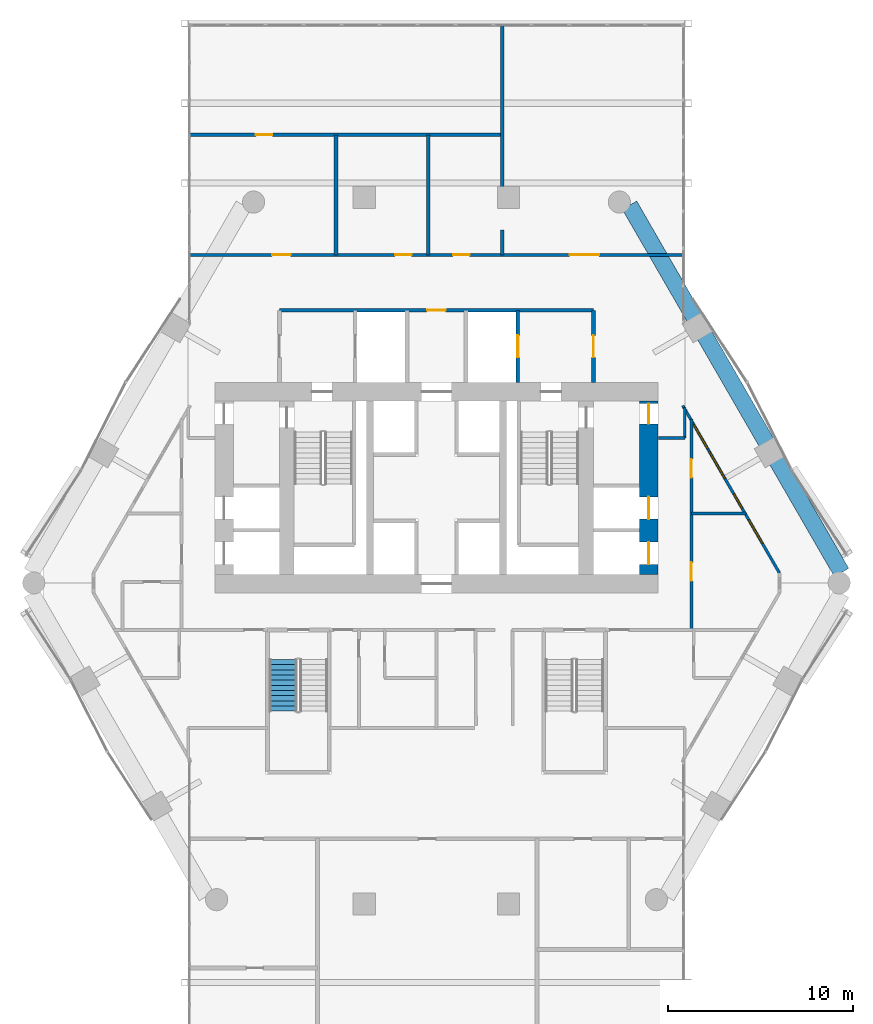
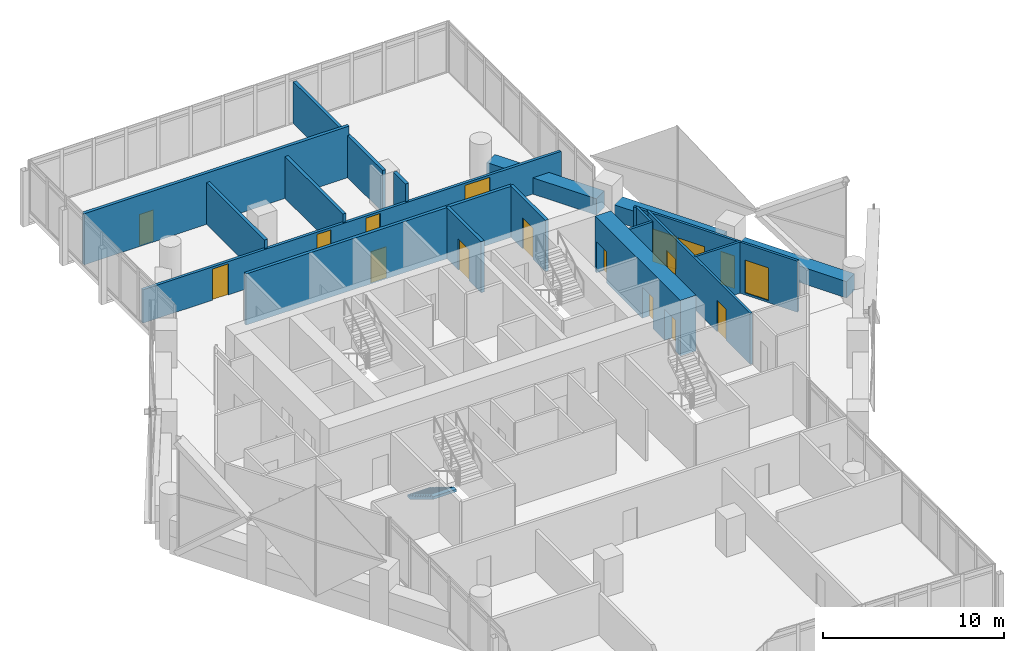
# One storey, part 30 of 36: 18 walls, 13 doors, 4 windows, 1 stair flight, 17 openings, 1 element without a shape of its own.
"""IFC4 building model written with IfcOpenShell, lengths in metres."""

from ifc_helpers import new_model, si_unit, direction, frame, frame_2d, origin, place, context, subcontext, project, spatial, polyline, rectangle, outline, extrude, material, layer, layer_set, type_object, element, fill, aggregate, save


model = new_model("IFC4")

# Units and contexts
model_context = context("Model", 3, precision=1e-05, world=origin(), true_north=direction((0.0, 1.0)))
body_context = subcontext(model_context, "Body", "Model", "MODEL_VIEW")
ifc_project = project(units=[si_unit("LENGTHUNIT", "METRE"), si_unit("AREAUNIT", "SQUARE_METRE"), si_unit("VOLUMEUNIT", "CUBIC_METRE"), si_unit("PLANEANGLEUNIT", "RADIAN"), si_unit("MASSUNIT", "GRAM", prefix="KILO")], contexts=[model_context])

# Site, building, storey
site_placement = place(None, origin())
site = spatial("IfcSite", under=ifc_project, at=site_placement, CompositionType="ELEMENT")
building_placement = place(site_placement, origin())
building = spatial("IfcBuilding", under=site, at=building_placement, Name="Ostrander Bayou Hotel Tower", CompositionType="ELEMENT")
storey_placement = place(building_placement, frame((0.0, 0.0, 138.5)))
storey = spatial("IfcBuildingStorey", under=building, at=storey_placement, Name="L34", CompositionType="ELEMENT", Elevation=138.5)

# Wall, openings, doors
ifc_material_1 = material(Name="Concrete f'c 70 MPa", Category="concrete")
ifc_layer_1 = layer(ifc_material_1, 1.0)
ifc_layer_set_1 = layer_set([ifc_layer_1], Name="CW4 core wall 1000 mm f'c 70 MPa")
wall_type_1 = type_object("IfcWallType", Name="CW4 core wall 1000 mm f'c 70 MPa", PredefinedType="SHEAR", material=ifc_layer_set_1)
wall_1_placement = place(storey_placement, frame((11.5, -0.699951171875, -0.300048828125), z_axis=(0.0, 0.0, 1.0), x_axis=(0.0, 1.0, 0.0)))
wall_1 = element("IfcWall", 1, at=wall_1_placement, inside=storey, type_object=wall_type_1, Name="CW4 L34 RE", PredefinedType="SHEAR", context=body_context, shape_type="SweptSolid", body=[
    extrude(rectangle(XDim=9.39990234375, YDim=1.0, at=frame_2d((4.699951171875, 0.0))), origin(), (0.0, 0.0, 1.0), 3.75),
])
opening_1_placement = place(wall_1_placement, frame((8.14990234375, 0.0, 0.0)))
opening_1 = element("IfcOpeningElement", 2, at=opening_1_placement, cuts=wall_1, Name="Opening T34-017", PredefinedType="OPENING", context=body_context, shape_type="SweptSolid", body=[
    extrude(rectangle(XDim=1.10009765625, YDim=2.10009765625, at=frame_2d((0.550048828125, 1.050048828125))), frame((0.0, 0.5, 0.0), z_axis=(0.0, -1.0, 0.0), x_axis=(1.0, 0.0, 0.0)), (0.0, 0.0, 1.0), 1.0),
])
opening_2_placement = place(wall_1_placement, frame((0.550048828125, 0.0, 0.0)))
opening_2 = element("IfcOpeningElement", 3, at=opening_2_placement, cuts=wall_1, Name="Opening T34-018", PredefinedType="OPENING", context=body_context, shape_type="SweptSolid", body=[
    extrude(rectangle(XDim=1.199951171875, YDim=2.10009765625, at=frame_2d((0.60009765625, 1.050048828125))), frame((0.0, 0.5, 0.0), z_axis=(0.0, -1.0, 0.0), x_axis=(1.0, 0.0, 0.0)), (0.0, 0.0, 1.0), 1.0),
])
opening_3_placement = place(wall_1_placement, frame((3.0, 0.0, 0.0)))
opening_3 = element("IfcOpeningElement", 4, at=opening_3_placement, cuts=wall_1, Name="Opening T34-019", PredefinedType="OPENING", context=body_context, shape_type="SweptSolid", body=[
    extrude(rectangle(XDim=1.199951171875, YDim=2.10009765625, at=frame_2d((0.60009765625, 1.050048828125))), frame((0.0, 0.5, 0.0), z_axis=(0.0, -1.0, 0.0), x_axis=(1.0, 0.0, 0.0)), (0.0, 0.0, 1.0), 1.0),
])
ifc_material_2 = material(Name="Timber door leaf", Category="wood")
door_type_1 = type_object("IfcDoorType", Name="D5 stair door 1100 x 2100 mm, 90 minute", OperationType="SINGLE_SWING_LEFT", PredefinedType="DOOR", material=ifc_material_2)
door_1_placement = place(opening_1_placement, origin())
door_1 = element("IfcDoor", 5, at=door_1_placement, inside=storey, type_object=door_type_1, Name="dr:L34:017", OperationType="SINGLE_SWING_RIGHT", OverallHeight=2.10009765625, OverallWidth=1.10009765625, PredefinedType="DOOR", context=body_context, shape_type="SweptSolid", body=[
    extrude(rectangle(XDim=1.10009765625, YDim=2.10009765625, at=frame_2d((0.550048828125, 1.050048828125))), frame((0.0, 0.02490234375, 0.0), z_axis=(0.0, -1.0, 0.0), x_axis=(1.0, 0.0, 0.0)), (0.0, 0.0, 1.0), 0.050048828125),
])
fill(opening_1, door_1)
ifc_material_3 = material(Name="Stainless steel sliding door", Category="steel")
door_type_2 = type_object("IfcDoorType", Name="LD1 lift landing door 1200 x 2100 mm", OperationType="SINGLE_SWING_LEFT", PredefinedType="DOOR", material=ifc_material_3)
door_2_placement = place(opening_2_placement, origin())
door_2 = element("IfcDoor", 6, at=door_2_placement, inside=storey, type_object=door_type_2, Name="dr:L34:018", OperationType="SLIDING_TO_LEFT", OverallHeight=2.10009765625, OverallWidth=1.199951171875, PredefinedType="DOOR", context=body_context, shape_type="SweptSolid", body=[
    extrude(rectangle(XDim=1.199951171875, YDim=2.10009765625, at=frame_2d((0.60009765625, 1.050048828125))), frame((0.0, 0.02490234375, 0.0), z_axis=(0.0, -1.0, 0.0), x_axis=(1.0, 0.0, 0.0)), (0.0, 0.0, 1.0), 0.050048828125),
])
fill(opening_2, door_2)
door_3_placement = place(opening_3_placement, origin())
door_3 = element("IfcDoor", 7, at=door_3_placement, inside=storey, type_object=door_type_2, Name="dr:L34:019", OperationType="SLIDING_TO_LEFT", OverallHeight=2.10009765625, OverallWidth=1.199951171875, PredefinedType="DOOR", context=body_context, shape_type="SweptSolid", body=[
    extrude(rectangle(XDim=1.199951171875, YDim=2.10009765625, at=frame_2d((0.60009765625, 1.050048828125))), frame((0.0, 0.02490234375, 0.0), z_axis=(0.0, -1.0, 0.0), x_axis=(1.0, 0.0, 0.0)), (0.0, 0.0, 1.0), 0.050048828125),
])
fill(opening_3, door_3)

# Wall, openings, windows
ifc_material_4 = material(Name="Aluminium framed insulated wall", Category="aluminium")
ifc_layer_2 = layer(ifc_material_4, 0.14990234375)
ifc_layer_set_2 = layer_set([ifc_layer_2], Name="GW1 glass-line wall 150 mm")
wall_type_2 = type_object("IfcWallType", Name="GW1 glass-line wall 150 mm", PredefinedType="SOLIDWALL", material=ifc_layer_set_2)
wall_2_placement = place(storey_placement, frame((18.568115234375, -0.6240234375, 0.0), z_axis=(0.0, 0.0, 1.0), x_axis=(-0.499994317138, 0.866028684761, 0.0)))
wall_2 = element("IfcWall", 8, at=wall_2_placement, inside=storey, type_object=wall_type_2, Name="GW1 L34 NE 1", PredefinedType="SOLIDWALL", context=body_context, shape_type="SweptSolid", body=[
    extrude(rectangle(XDim=10.46826171875, YDim=0.14990234375, at=frame_2d((5.234130859375, 0.0))), origin(), (0.0, 0.0, 1.0), 3.449951171875),
])
opening_4_placement = place(wall_2_placement, frame((4.046630859375, 0.0, 0.14990234375)))
opening_4 = element("IfcOpeningElement", 9, at=opening_4_placement, cuts=wall_2, Name="Opening W16", PredefinedType="OPENING", context=body_context, shape_type="SweptSolid", body=[
    extrude(rectangle(XDim=0.89990234375, YDim=2.199951171875, at=frame_2d((0.449951171875, 1.10009765625))), frame((0.0, 0.074951171875, 0.0), z_axis=(0.0, -1.0, 0.0), x_axis=(1.0, 0.0, 0.0)), (0.0, 0.0, 1.0), 0.14990234375),
])
opening_5_placement = place(wall_2_placement, frame((1.8466796875, 0.0, 0.14990234375)))
opening_5 = element("IfcOpeningElement", 10, at=opening_5_placement, cuts=wall_2, Name="Opening W12", PredefinedType="OPENING", context=body_context, shape_type="SweptSolid", body=[
    extrude(rectangle(XDim=1.5, YDim=2.199951171875, at=frame_2d((0.75, 1.10009765625))), frame((0.0, 0.074951171875, 0.0), z_axis=(0.0, -1.0, 0.0), x_axis=(1.0, 0.0, 0.0)), (0.0, 0.0, 1.0), 0.14990234375),
])
opening_6_placement = place(wall_2_placement, frame((5.924560546875, 0.0, 0.14990234375)))
opening_6 = element("IfcOpeningElement", 11, at=opening_6_placement, cuts=wall_2, Name="Opening W8", PredefinedType="OPENING", context=body_context, shape_type="SweptSolid", body=[
    extrude(rectangle(XDim=1.699951171875, YDim=2.199951171875, at=frame_2d((0.85009765625, 1.10009765625))), frame((0.0, 0.074951171875, 0.0), z_axis=(0.0, -1.0, 0.0), x_axis=(1.0, 0.0, 0.0)), (0.0, 0.0, 1.0), 0.14990234375),
])
opening_7_placement = place(wall_2_placement, frame((7.764404296875, 0.0, 0.14990234375)))
opening_7 = element("IfcOpeningElement", 12, at=opening_7_placement, cuts=wall_2, Name="Opening W12", PredefinedType="OPENING", context=body_context, shape_type="SweptSolid", body=[
    extrude(rectangle(XDim=1.5, YDim=2.199951171875, at=frame_2d((0.75, 1.10009765625))), frame((0.0, 0.074951171875, 0.0), z_axis=(0.0, -1.0, 0.0), x_axis=(1.0, 0.0, 0.0)), (0.0, 0.0, 1.0), 0.14990234375),
])
ifc_material_5 = material(Name="Aluminium and clear glass", Category="aluminium")
window_type_1 = type_object("IfcWindowType", Name="W12 fixed window 1500 mm, bath bay, zone 2", PartitioningType="SINGLE_PANEL", PredefinedType="WINDOW", material=ifc_material_5)
window_1_placement = place(opening_5_placement, origin())
window_1 = element("IfcWindow", 13, at=window_1_placement, inside=storey, type_object=window_type_1, Name="W12 L34 NE 1", OverallHeight=2.199951171875, OverallWidth=1.5, PartitioningType="SINGLE_PANEL", PredefinedType="WINDOW", context=body_context, shape_type="SweptSolid", body=[
    extrude(rectangle(XDim=1.5, YDim=2.199951171875, at=frame_2d((0.75, 1.10009765625))), frame((0.0, 0.030029296875, 0.0), z_axis=(0.0, -1.0, 0.0), x_axis=(1.0, 0.0, 0.0)), (0.0, 0.0, 1.0), 0.06005859375),
])
fill(opening_5, window_1)
window_2_placement = place(opening_7_placement, origin())
window_2 = element("IfcWindow", 14, at=window_2_placement, inside=storey, type_object=window_type_1, Name="W12 L34 NE 2", OverallHeight=2.199951171875, OverallWidth=1.5, PartitioningType="SINGLE_PANEL", PredefinedType="WINDOW", context=body_context, shape_type="SweptSolid", body=[
    extrude(rectangle(XDim=1.5, YDim=2.199951171875, at=frame_2d((0.75, 1.10009765625))), frame((0.0, 0.030029296875, 0.0), z_axis=(0.0, -1.0, 0.0), x_axis=(1.0, 0.0, 0.0)), (0.0, 0.0, 1.0), 0.06005859375),
])
fill(opening_7, window_2)
ifc_material_6 = material(Name="Aluminium and clear glass", Category="aluminium")
window_type_2 = type_object("IfcWindowType", Name="W16 window 900 mm, zone 2", PartitioningType="SINGLE_PANEL", PredefinedType="WINDOW", material=ifc_material_6)
window_3_placement = place(opening_4_placement, origin())
window_3 = element("IfcWindow", 15, at=window_3_placement, inside=storey, type_object=window_type_2, Name="W16 L34 NE 1", OverallHeight=2.199951171875, OverallWidth=0.89990234375, PartitioningType="SINGLE_PANEL", PredefinedType="WINDOW", context=body_context, shape_type="SweptSolid", body=[
    extrude(rectangle(XDim=0.89990234375, YDim=2.199951171875, at=frame_2d((0.449951171875, 1.10009765625))), frame((0.0, 0.030029296875, 0.0), z_axis=(0.0, -1.0, 0.0), x_axis=(1.0, 0.0, 0.0)), (0.0, 0.0, 1.0), 0.06005859375),
])
fill(opening_4, window_3)
ifc_material_7 = material(Name="Aluminium and clear glass", Category="aluminium")
window_type_3 = type_object("IfcWindowType", Name="W8 fixed window 1700 mm, bar storeys, zone 2", PartitioningType="SINGLE_PANEL", PredefinedType="WINDOW", material=ifc_material_7)
window_4_placement = place(opening_6_placement, origin())
window_4 = element("IfcWindow", 16, at=window_4_placement, inside=storey, type_object=window_type_3, Name="W8 L34 NE 2", OverallHeight=2.199951171875, OverallWidth=1.699951171875, PartitioningType="SINGLE_PANEL", PredefinedType="WINDOW", context=body_context, shape_type="SweptSolid", body=[
    extrude(rectangle(XDim=1.699951171875, YDim=2.199951171875, at=frame_2d((0.85009765625, 1.10009765625))), frame((0.0, 0.030029296875, 0.0), z_axis=(0.0, -1.0, 0.0), x_axis=(1.0, 0.0, 0.0)), (0.0, 0.0, 1.0), 0.06005859375),
])
fill(opening_6, window_4)

# Walls
ifc_material_8 = material(Name="Concrete f'c 40 MPa", Category="concrete")
ifc_layer_3 = layer(ifc_material_8, 0.89990234375)
ifc_layer_set_3 = layer_set([ifc_layer_3], Name="PA1 stone-faced parapet 900 mm")
wall_type_3 = type_object("IfcWallType", Name="PA1 stone-faced parapet 900 mm", PredefinedType="PARAPET", material=ifc_layer_set_3)
wall_3_placement = place(storey_placement, frame((21.927734375, -0.593017578125, 0.0), z_axis=(0.0, 0.0, 1.0), x_axis=(-0.499991127072, 0.866030526511, 0.0)))
element("IfcWall", 17, at=wall_3_placement, inside=storey, type_object=wall_type_3, Name="PA1 L34 NE-1", PredefinedType="PARAPET", context=body_context, shape_type="SweptSolid", body=[
    extrude(rectangle(XDim=7.000732421875, YDim=0.89990234375, at=frame_2d((3.50048828125, 0.0))), origin(), (0.0, 0.0, 1.0), 1.10009765625),
])
wall_4_placement = place(storey_placement, frame((17.857421875, 6.45703125, 0.0), z_axis=(0.0, 0.0, 1.0), x_axis=(-0.499983182885, 0.866035112932, 0.0)))
element("IfcWall", 18, at=wall_4_placement, inside=storey, type_object=wall_type_3, Name="PA1 L34 NE-2", PredefinedType="PARAPET", context=body_context, shape_type="SweptSolid", body=[
    extrude(rectangle(XDim=6.673583984375, YDim=0.89990234375, at=frame_2d((3.3369140625, 0.0))), origin(), (0.0, 0.0, 1.0), 1.10009765625),
])
wall_5_placement = place(storey_placement, frame((13.95068359375, 13.2236328125, 0.0), z_axis=(0.0, 0.0, 1.0), x_axis=(-0.499991127072, 0.866030526511, 0.0)))
element("IfcWall", 19, at=wall_5_placement, inside=storey, type_object=wall_type_3, Name="PA1 L34 NE-3", PredefinedType="PARAPET", context=body_context, shape_type="SweptSolid", body=[
    extrude(rectangle(XDim=7.000732421875, YDim=0.89990234375, at=frame_2d((3.50048828125, 0.0))), origin(), (0.0, 0.0, 1.0), 1.10009765625),
])

# Wall, opening, door
ifc_material_9 = material(Name="Gypsum board partition", Category="finish")
ifc_layer_4 = layer(ifc_material_9, 0.199951171875)
ifc_layer_set_4 = layer_set([ifc_layer_4], Name="PT3 demising wall 200 mm acoustic double stud, 1 hour")
wall_type_4 = type_object("IfcWallType", Name="PT3 demising wall 200 mm acoustic double stud, 1 hour", PredefinedType="PARTITIONING", material=ifc_layer_set_4)
wall_6_placement = place(storey_placement, frame((-13.34814453125, 23.10009765625, 0.0), z_axis=(0.0, 0.0, 1.0), x_axis=(1.0, 0.0, 0.0)))
wall_6 = element("IfcWall", 20, at=wall_6_placement, inside=storey, type_object=wall_type_4, Name="sw:L34:504", PredefinedType="PARTITIONING", context=body_context, shape_type="SweptSolid", body=[
    extrude(rectangle(XDim=16.906005859375, YDim=0.199951171875, at=frame_2d((8.453125, 0.0))), origin(), (0.0, 0.0, 1.0), 3.449951171875),
])
opening_8_placement = place(wall_6_placement, frame((3.571044921875, 0.0, 0.0)))
opening_8 = element("IfcOpeningElement", 21, at=opening_8_placement, cuts=wall_6, Name="Opening T34-1210", PredefinedType="OPENING", context=body_context, shape_type="SweptSolid", body=[
    extrude(rectangle(XDim=0.89990234375, YDim=2.10009765625, at=frame_2d((0.449951171875, 1.050048828125))), frame((0.0, 0.10009765625, 0.0), z_axis=(0.0, -1.0, 0.0), x_axis=(1.0, 0.0, 0.0)), (0.0, 0.0, 1.0), 0.199951171875),
])
ifc_material_10 = material(Name="Timber door leaf", Category="wood")
door_type_3 = type_object("IfcDoorType", Name="D8 room door 900 x 2100 mm", OperationType="SINGLE_SWING_LEFT", PredefinedType="DOOR", material=ifc_material_10)
door_4_placement = place(opening_8_placement, origin())
door_4 = element("IfcDoor", 22, at=door_4_placement, inside=storey, type_object=door_type_3, Name="dr:L34:1210", OperationType="SINGLE_SWING_RIGHT", OverallHeight=2.10009765625, OverallWidth=0.89990234375, PredefinedType="DOOR", context=body_context, shape_type="SweptSolid", body=[
    extrude(rectangle(XDim=0.89990234375, YDim=2.10009765625, at=frame_2d((0.449951171875, 1.050048828125))), frame((0.0, 0.02490234375, 0.0), z_axis=(0.0, -1.0, 0.0), x_axis=(1.0, 0.0, 0.0)), (0.0, 0.0, 1.0), 0.050048828125),
])
fill(opening_8, door_4)

# Walls
for number, where, z_axis, x_axis, name in (
    (23, (-5.44189453125, 16.60009765625, 0.0), (0.0, 0.0, 1.0), (0.0, 1.0, 0.0), "sw:L34:506"),
    (24, (-0.44189453125, 16.60009765625, 0.0), (0.0, 0.0, 1.0), (0.0, 1.0, 0.0), "sw:L34:507"),
):
    element("IfcWall", number, at=place(storey_placement, frame(where, z_axis=z_axis, x_axis=x_axis)), inside=storey, type_object=wall_type_4, Name=name, PredefinedType="PARTITIONING", context=body_context, shape_type="SweptSolid", body=[
        extrude(rectangle(XDim=6.5, YDim=0.199951171875, at=frame_2d((3.25, 0.0))), origin(), (0.0, 0.0, 1.0), 2.828125),
    ])
wall_7_placement = place(storey_placement, frame((3.55810546875, 16.60009765625, 0.0), z_axis=(0.0, 0.0, 1.0), x_axis=(0.0, 1.0, 0.0)))
element("IfcWall", 25, at=wall_7_placement, inside=storey, type_object=wall_type_4, Name="sw:L34:508", PredefinedType="PARTITIONING", context=body_context, shape_type="SweptSolid", body=[
    extrude(rectangle(XDim=1.347900390625, YDim=0.199951171875, at=frame_2d((0.673828125, 0.0))), origin(), (0.0, 0.0, 1.0), 3.449951171875),
])
wall_8_placement = place(storey_placement, frame((3.55810546875, 19.13916015625, 0.0), z_axis=(0.0, 0.0, 1.0), x_axis=(0.0, 1.0, 0.0)))
element("IfcWall", 26, at=wall_8_placement, inside=storey, type_object=wall_type_4, Name="sw:L34:509", PredefinedType="PARTITIONING", context=body_context, shape_type="SweptSolid", body=[
    extrude(rectangle(XDim=9.87890625, YDim=0.199951171875, at=frame_2d((4.939453125, 0.0))), origin(), (0.0, 0.0, 1.0), 2.828125),
])

# Wall, openings, doors
ifc_material_11 = material(Name="Gypsum board partition", Category="finish")
ifc_layer_5 = layer(ifc_material_11, 0.175048828125)
ifc_layer_set_5 = layer_set([ifc_layer_5], Name="PT4 corridor wall 175 mm, 1 hour")
wall_type_5 = type_object("IfcWallType", Name="PT4 corridor wall 175 mm, 1 hour", PredefinedType="PARTITIONING", material=ifc_layer_set_5)
wall_9_placement = place(storey_placement, frame((-13.34814453125, 16.60009765625, 0.0), z_axis=(0.0, 0.0, 1.0), x_axis=(1.0, 0.0, 0.0)))
wall_9 = element("IfcWall", 27, at=wall_9_placement, inside=storey, type_object=wall_type_5, Name="sw:L34:501", PredefinedType="PARTITIONING", context=body_context, shape_type="SweptSolid", body=[
    extrude(rectangle(XDim=26.6962890625, YDim=0.175048828125, at=frame_2d((13.34814453125, 0.0))), origin(), (0.0, 0.0, 1.0), 2.25),
])
opening_9_placement = place(wall_9_placement, frame((4.45556640625, 0.0, 0.0)))
opening_9 = element("IfcOpeningElement", 28, at=opening_9_placement, cuts=wall_9, Name="Opening T34-1206", PredefinedType="OPENING", context=body_context, shape_type="SweptSolid", body=[
    extrude(rectangle(XDim=1.0, YDim=2.10009765625, at=frame_2d((0.5, 1.050048828125))), frame((0.0, 0.08740234375, 0.0), z_axis=(0.0, -1.0, 0.0), x_axis=(1.0, 0.0, 0.0)), (0.0, 0.0, 1.0), 0.175048828125),
])
opening_10_placement = place(wall_9_placement, frame((11.106689453125, 0.0, 0.0)))
opening_10 = element("IfcOpeningElement", 29, at=opening_10_placement, cuts=wall_9, Name="Opening T34-1207", PredefinedType="OPENING", context=body_context, shape_type="SweptSolid", body=[
    extrude(rectangle(XDim=0.89990234375, YDim=2.10009765625, at=frame_2d((0.449951171875, 1.050048828125))), frame((0.0, 0.08740234375, 0.0), z_axis=(0.0, -1.0, 0.0), x_axis=(1.0, 0.0, 0.0)), (0.0, 0.0, 1.0), 0.175048828125),
])
opening_11_placement = place(wall_9_placement, frame((14.24755859375, 0.0, 0.0)))
opening_11 = element("IfcOpeningElement", 30, at=opening_11_placement, cuts=wall_9, Name="Opening T34-1208", PredefinedType="OPENING", context=body_context, shape_type="SweptSolid", body=[
    extrude(rectangle(XDim=0.89990234375, YDim=2.10009765625, at=frame_2d((0.449951171875, 1.050048828125))), frame((0.0, 0.08740234375, 0.0), z_axis=(0.0, -1.0, 0.0), x_axis=(1.0, 0.0, 0.0)), (0.0, 0.0, 1.0), 0.175048828125),
])
opening_12_placement = place(wall_9_placement, frame((20.55615234375, 0.0, 0.0)))
opening_12 = element("IfcOpeningElement", 31, at=opening_12_placement, cuts=wall_9, Name="Opening T34-1209", PredefinedType="OPENING", context=body_context, shape_type="SweptSolid", body=[
    extrude(rectangle(XDim=1.60009765625, YDim=2.10009765625, at=frame_2d((0.800048828125, 1.050048828125))), frame((0.0, 0.08740234375, 0.0), z_axis=(0.0, -1.0, 0.0), x_axis=(1.0, 0.0, 0.0)), (0.0, 0.0, 1.0), 0.175048828125),
])
ifc_material_12 = material(Name="Timber door leaf", Category="wood")
door_type_4 = type_object("IfcDoorType", Name="D13 double door 1600 x 2100 mm, 1 hour", OperationType="SINGLE_SWING_LEFT", PredefinedType="DOOR", material=ifc_material_12)
door_5_placement = place(opening_12_placement, origin())
door_5 = element("IfcDoor", 32, at=door_5_placement, inside=storey, type_object=door_type_4, Name="dr:L34:1209", OperationType="DOUBLE_DOOR_SINGLE_SWING", OverallHeight=2.10009765625, OverallWidth=1.60009765625, PredefinedType="DOOR", context=body_context, shape_type="SweptSolid", body=[
    extrude(rectangle(XDim=1.60009765625, YDim=2.10009765625, at=frame_2d((0.800048828125, 1.050048828125))), frame((0.0, 0.02490234375, 0.0), z_axis=(0.0, -1.0, 0.0), x_axis=(1.0, 0.0, 0.0)), (0.0, 0.0, 1.0), 0.050048828125),
])
fill(opening_12, door_5)
door_6_placement = place(opening_10_placement, origin())
door_6 = element("IfcDoor", 33, at=door_6_placement, inside=storey, type_object=door_type_3, Name="dr:L34:1207", OperationType="SINGLE_SWING_LEFT", OverallHeight=2.10009765625, OverallWidth=0.89990234375, PredefinedType="DOOR", context=body_context, shape_type="SweptSolid", body=[
    extrude(rectangle(XDim=0.89990234375, YDim=2.10009765625, at=frame_2d((0.449951171875, 1.050048828125))), frame((0.0, 0.02490234375, 0.0), z_axis=(0.0, -1.0, 0.0), x_axis=(1.0, 0.0, 0.0)), (0.0, 0.0, 1.0), 0.050048828125),
])
fill(opening_10, door_6)
door_7_placement = place(opening_11_placement, origin())
door_7 = element("IfcDoor", 34, at=door_7_placement, inside=storey, type_object=door_type_3, Name="dr:L34:1208", OperationType="SINGLE_SWING_RIGHT", OverallHeight=2.10009765625, OverallWidth=0.89990234375, PredefinedType="DOOR", context=body_context, shape_type="SweptSolid", body=[
    extrude(rectangle(XDim=0.89990234375, YDim=2.10009765625, at=frame_2d((0.449951171875, 1.050048828125))), frame((0.0, 0.02490234375, 0.0), z_axis=(0.0, -1.0, 0.0), x_axis=(1.0, 0.0, 0.0)), (0.0, 0.0, 1.0), 0.050048828125),
])
fill(opening_11, door_7)
ifc_material_13 = material(Name="Timber door leaf", Category="wood")
door_type_5 = type_object("IfcDoorType", Name="D9 service door 1000 x 2100 mm, 30 minute", OperationType="SINGLE_SWING_LEFT", PredefinedType="DOOR", material=ifc_material_13)
door_8_placement = place(opening_9_placement, origin())
door_8 = element("IfcDoor", 35, at=door_8_placement, inside=storey, type_object=door_type_5, Name="dr:L34:1206", OperationType="SINGLE_SWING_RIGHT", OverallHeight=2.10009765625, OverallWidth=1.0, PredefinedType="DOOR", context=body_context, shape_type="SweptSolid", body=[
    extrude(rectangle(XDim=1.0, YDim=2.10009765625, at=frame_2d((0.5, 1.050048828125))), frame((0.0, 0.02490234375, 0.0), z_axis=(0.0, -1.0, 0.0), x_axis=(1.0, 0.0, 0.0)), (0.0, 0.0, 1.0), 0.050048828125),
])
fill(opening_9, door_8)

# Wall, opening, door
ifc_material_14 = material(Name="Masonry block", Category="masonry")
ifc_layer_6 = layer(ifc_material_14, 0.199951171875)
ifc_layer_set_6 = layer_set([ifc_layer_6], Name="PT5 stair enclosure wall 200 mm masonry, 2 hour")
wall_type_6 = type_object("IfcWallType", Name="PT5 stair enclosure wall 200 mm masonry, 2 hour", PredefinedType="PARTITIONING", material=ifc_layer_set_6)
wall_10_placement = place(storey_placement, frame((-8.5, 13.60009765625, 0.0), z_axis=(0.0, 0.0, 1.0), x_axis=(1.0, 0.0, 0.0)))
wall_10 = element("IfcWall", 36, at=wall_10_placement, inside=storey, type_object=wall_type_6, Name="cs:L34:021", PredefinedType="PARTITIONING", context=body_context, shape_type="SweptSolid", body=[
    extrude(rectangle(XDim=17.0, YDim=0.199951171875, at=frame_2d((8.5, 0.0))), origin(), (0.0, 0.0, 1.0), 3.449951171875),
])
opening_13_placement = place(wall_10_placement, frame((8.0, 0.0, 0.0)))
opening_13 = element("IfcOpeningElement", 37, at=opening_13_placement, cuts=wall_10, Name="Opening T34-013", PredefinedType="OPENING", context=body_context, shape_type="SweptSolid", body=[
    extrude(rectangle(XDim=1.0, YDim=2.10009765625, at=frame_2d((0.5, 1.050048828125))), frame((0.0, 0.10009765625, 0.0), z_axis=(0.0, -1.0, 0.0), x_axis=(1.0, 0.0, 0.0)), (0.0, 0.0, 1.0), 0.199951171875),
])
door_9_placement = place(opening_13_placement, origin())
door_9 = element("IfcDoor", 38, at=door_9_placement, inside=storey, type_object=door_type_5, Name="dr:L34:013", OperationType="SINGLE_SWING_LEFT", OverallHeight=2.10009765625, OverallWidth=1.0, PredefinedType="DOOR", context=body_context, shape_type="SweptSolid", body=[
    extrude(rectangle(XDim=1.0, YDim=2.10009765625, at=frame_2d((0.5, 1.050048828125))), frame((0.0, 0.02490234375, 0.0), z_axis=(0.0, -1.0, 0.0), x_axis=(1.0, 0.0, 0.0)), (0.0, 0.0, 1.0), 0.050048828125),
])
fill(opening_13, door_9)

wall_11_placement = place(storey_placement, frame((8.5, 9.699951171875, 0.0), z_axis=(0.0, 0.0, 1.0), x_axis=(0.0, 1.0, 0.0)))
wall_11 = element("IfcWall", 39, at=wall_11_placement, inside=storey, type_object=wall_type_6, Name="cs:L34:023", PredefinedType="PARTITIONING", context=body_context, shape_type="SweptSolid", body=[
    extrude(rectangle(XDim=3.900146484375, YDim=0.199951171875, at=frame_2d((1.9501953125, 0.0))), origin(), (0.0, 0.0, 1.0), 3.449951171875),
])
opening_14_placement = place(wall_11_placement, frame((1.35009765625, 0.0, 0.0)))
opening_14 = element("IfcOpeningElement", 40, at=opening_14_placement, cuts=wall_11, Name="Opening T34-012", PredefinedType="OPENING", context=body_context, shape_type="SweptSolid", body=[
    extrude(rectangle(XDim=1.199951171875, YDim=2.10009765625, at=frame_2d((0.60009765625, 1.050048828125))), frame((0.0, 0.10009765625, 0.0), z_axis=(0.0, -1.0, 0.0), x_axis=(1.0, 0.0, 0.0)), (0.0, 0.0, 1.0), 0.199951171875),
])
ifc_material_15 = material(Name="Timber door leaf", Category="wood")
door_type_6 = type_object("IfcDoorType", Name="D7 lobby door 1200 x 2100 mm, 1 hour", OperationType="SINGLE_SWING_LEFT", PredefinedType="DOOR", material=ifc_material_15)
door_10_placement = place(opening_14_placement, origin())
door_10 = element("IfcDoor", 41, at=door_10_placement, inside=storey, type_object=door_type_6, Name="dr:L34:012", OperationType="SINGLE_SWING_LEFT", OverallHeight=2.10009765625, OverallWidth=1.199951171875, PredefinedType="DOOR", context=body_context, shape_type="SweptSolid", body=[
    extrude(rectangle(XDim=1.199951171875, YDim=2.10009765625, at=frame_2d((0.60009765625, 1.050048828125))), frame((0.0, 0.02490234375, 0.0), z_axis=(0.0, -1.0, 0.0), x_axis=(1.0, 0.0, 0.0)), (0.0, 0.0, 1.0), 0.050048828125),
])
fill(opening_14, door_10)

wall_12_placement = place(storey_placement, frame((4.39990234375, 9.699951171875, 0.0), z_axis=(0.0, 0.0, 1.0), x_axis=(0.0, 1.0, 0.0)))
wall_12 = element("IfcWall", 42, at=wall_12_placement, inside=storey, type_object=wall_type_6, Name="cs:L34:025", PredefinedType="PARTITIONING", context=body_context, shape_type="SweptSolid", body=[
    extrude(rectangle(XDim=3.900146484375, YDim=0.199951171875, at=frame_2d((1.9501953125, 0.0))), origin(), (0.0, 0.0, 1.0), 3.449951171875),
])
opening_15_placement = place(wall_12_placement, frame((1.35009765625, 0.0, 0.0)))
opening_15 = element("IfcOpeningElement", 43, at=opening_15_placement, cuts=wall_12, Name="Opening T34-011", PredefinedType="OPENING", context=body_context, shape_type="SweptSolid", body=[
    extrude(rectangle(XDim=1.199951171875, YDim=2.10009765625, at=frame_2d((0.60009765625, 1.050048828125))), frame((0.0, 0.10009765625, 0.0), z_axis=(0.0, -1.0, 0.0), x_axis=(1.0, 0.0, 0.0)), (0.0, 0.0, 1.0), 0.199951171875),
])
door_11_placement = place(opening_15_placement, origin())
door_11 = element("IfcDoor", 44, at=door_11_placement, inside=storey, type_object=door_type_2, Name="dr:L34:011", OperationType="SLIDING_TO_LEFT", OverallHeight=2.10009765625, OverallWidth=1.199951171875, PredefinedType="DOOR", context=body_context, shape_type="SweptSolid", body=[
    extrude(rectangle(XDim=1.199951171875, YDim=2.10009765625, at=frame_2d((0.60009765625, 1.050048828125))), frame((0.0, 0.02490234375, 0.0), z_axis=(0.0, -1.0, 0.0), x_axis=(1.0, 0.0, 0.0)), (0.0, 0.0, 1.0), 0.050048828125),
])
fill(opening_15, door_11)

# Walls
ifc_material_16 = material(Name="Gypsum board partition", Category="finish")
ifc_layer_7 = layer(ifc_material_16, 0.14990234375)
ifc_layer_set_7 = layer_set([ifc_layer_7], Name="PT8 service band wall 150 mm, 1 hour")
wall_type_7 = type_object("IfcWallType", Name="PT8 service band wall 150 mm, 1 hour", PredefinedType="PARTITIONING", material=ifc_layer_set_7)
wall_13_placement = place(storey_placement, frame((13.800048828125, 2.60009765625, 0.0), z_axis=(0.0, 0.0, 1.0), x_axis=(1.0, 0.0, 0.0)))
element("IfcWall", 45, at=wall_13_placement, inside=storey, type_object=wall_type_7, Name="gw:L34:013", PredefinedType="PARTITIONING", context=body_context, shape_type="SweptSolid", body=[
    extrude(rectangle(XDim=2.958984375, YDim=0.14990234375, at=frame_2d((1.4794921875, 0.0))), origin(), (0.0, 0.0, 1.0), 3.449951171875),
])
wall_14_placement = place(storey_placement, frame((12.010009765625, 6.695068359375, 0.0), z_axis=(0.0, 0.0, 1.0), x_axis=(1.0, 0.0, 0.0)))
element("IfcWall", 46, at=wall_14_placement, inside=storey, type_object=wall_type_7, Name="gw:L34:015", PredefinedType="PARTITIONING", context=body_context, shape_type="SweptSolid", body=[
    extrude(rectangle(XDim=1.429931640625, YDim=0.14990234375, at=frame_2d((0.71484375, 0.0))), origin(), (0.0, 0.0, 1.0), 3.449951171875),
])

# Wall, openings, doors
wall_15_placement = place(storey_placement, frame((13.800048828125, -3.699951171875, 0.0), z_axis=(0.0, 0.0, 1.0), x_axis=(0.0, 1.0, 0.0)))
wall_15 = element("IfcWall", 47, at=wall_15_placement, inside=storey, type_object=wall_type_7, Name="gw:L34:017", PredefinedType="PARTITIONING", context=body_context, shape_type="SweptSolid", body=[
    extrude(rectangle(XDim=11.425048828125, YDim=0.14990234375, at=frame_2d((5.71240234375, 0.0))), origin(), (0.0, 0.0, 1.0), 3.449951171875),
])
opening_16_placement = place(wall_15_placement, frame((2.64990234375, 0.0, 0.0)))
opening_16 = element("IfcOpeningElement", 48, at=opening_16_placement, cuts=wall_15, Name="Opening T34-411", PredefinedType="OPENING", context=body_context, shape_type="SweptSolid", body=[
    extrude(rectangle(XDim=1.0, YDim=2.10009765625, at=frame_2d((0.5, 1.050048828125))), frame((0.0, 0.074951171875, 0.0), z_axis=(0.0, -1.0, 0.0), x_axis=(1.0, 0.0, 0.0)), (0.0, 0.0, 1.0), 0.14990234375),
])
opening_17_placement = place(wall_15_placement, frame((8.239990234375, 0.0, 0.0)))
opening_17 = element("IfcOpeningElement", 49, at=opening_17_placement, cuts=wall_15, Name="Opening T34-412", PredefinedType="OPENING", context=body_context, shape_type="SweptSolid", body=[
    extrude(rectangle(XDim=1.0, YDim=2.10009765625, at=frame_2d((0.5, 1.050048828125))), frame((0.0, 0.074951171875, 0.0), z_axis=(0.0, -1.0, 0.0), x_axis=(1.0, 0.0, 0.0)), (0.0, 0.0, 1.0), 0.14990234375),
])
ifc_material_17 = material(Name="Timber door leaf", Category="wood")
door_type_7 = type_object("IfcDoorType", Name="D15 room door 1000 x 2100 mm", OperationType="SINGLE_SWING_LEFT", PredefinedType="DOOR", material=ifc_material_17)
door_12_placement = place(opening_16_placement, origin())
door_12 = element("IfcDoor", 50, at=door_12_placement, inside=storey, type_object=door_type_7, Name="dr:L34:411", OperationType="SINGLE_SWING_RIGHT", OverallHeight=2.10009765625, OverallWidth=1.0, PredefinedType="DOOR", context=body_context, shape_type="SweptSolid", body=[
    extrude(rectangle(XDim=1.0, YDim=2.10009765625, at=frame_2d((0.5, 1.050048828125))), frame((0.0, 0.02490234375, 0.0), z_axis=(0.0, -1.0, 0.0), x_axis=(1.0, 0.0, 0.0)), (0.0, 0.0, 1.0), 0.050048828125),
])
fill(opening_16, door_12)
door_13_placement = place(opening_17_placement, origin())
door_13 = element("IfcDoor", 51, at=door_13_placement, inside=storey, type_object=door_type_5, Name="dr:L34:412", OperationType="SINGLE_SWING_LEFT", OverallHeight=2.10009765625, OverallWidth=1.0, PredefinedType="DOOR", context=body_context, shape_type="SweptSolid", body=[
    extrude(rectangle(XDim=1.0, YDim=2.10009765625, at=frame_2d((0.5, 1.050048828125))), frame((0.0, 0.02490234375, 0.0), z_axis=(0.0, -1.0, 0.0), x_axis=(1.0, 0.0, 0.0)), (0.0, 0.0, 1.0), 0.050048828125),
])
fill(opening_17, door_13)

# Wall
wall_16_placement = place(storey_placement, frame((13.43994140625, 6.695068359375, 0.0), z_axis=(0.0, 0.0, 1.0), x_axis=(0.0, 1.0, 0.0)))
element("IfcWall", 52, at=wall_16_placement, inside=storey, type_object=wall_type_7, Name="gw:L34:019", PredefinedType="PARTITIONING", context=body_context, shape_type="SweptSolid", body=[
    extrude(rectangle(XDim=1.65283203125, YDim=0.14990234375, at=frame_2d((0.826416015625, 0.0))), origin(), (0.0, 0.0, 1.0), 3.449951171875),
])

# Stair, stair flight
ifc_material_18 = material(Name="Concrete f'c 45 MPa", Category="concrete")
stair_type = type_object("IfcStairType", Name="ST1 exit stair 1500 mm f'c 45 MPa", PredefinedType="HALF_TURN_STAIR", material=ifc_material_18)
stair_placement = place(storey_placement, origin())
stair = element("IfcStair", 53, at=stair_placement, inside=storey, type_object=stair_type, Name="L34 exit stair D", PredefinedType="HALF_TURN_STAIR")
ifc_material_19 = material(Name="Concrete f'c 45 MPa", Category="concrete")
stair_flight_type = type_object("IfcStairFlightType", Name="SF1 stair flight 1500 mm f'c 45 MPa", PredefinedType="STRAIGHT", material=ifc_material_19)
stair_flight_placement = place(storey_placement, frame((-8.300048828125, -5.300048828125, 0.0), z_axis=(0.0, 0.0, 1.0), x_axis=(0.0, -1.0, 0.0)))
stair_flight = element("IfcStairFlight", 54, at=stair_flight_placement, type_object=stair_flight_type, Name="STD flight 1", NumberOfRisers=11, NumberOfTreads=10, PredefinedType="STRAIGHT", RiserHeight=0.170454545, TreadLength=0.28, context=body_context, shape_type="SweptSolid", body=[
    extrude(outline(polyline([(0.0, 0.0), (0.0, 0.17041015625), (0.280029296875, 0.17041015625), (0.280029296875, 0.3408203125), (0.56005859375, 0.3408203125), (0.56005859375, 0.511474609375), (0.840087890625, 0.511474609375), (0.840087890625, 0.681884765625), (1.1201171875, 0.681884765625), (1.1201171875, 0.852294921875), (1.39990234375, 0.852294921875), (1.39990234375, 1.022705078125), (1.679931640625, 1.022705078125), (1.679931640625, 1.193115234375), (1.9599609375, 1.193115234375), (1.9599609375, 1.363525390625), (2.239990234375, 1.363525390625), (2.239990234375, 1.5341796875), (2.52001953125, 1.5341796875), (2.52001953125, 1.70458984375), (2.800048828125, 1.70458984375), (2.800048828125, 1.875), (2.800048828125, 1.529052734375), (0.288330078125, 0.0), (0.0, 0.0)])), frame((0.0, 0.75, 0.0), z_axis=(0.0, -1.0, 0.0), x_axis=(1.0, 0.0, 0.0)), (0.0, 0.0, 1.0), 1.5),
])
aggregate(stair, [stair_flight])

save(model, "model.ifc")
